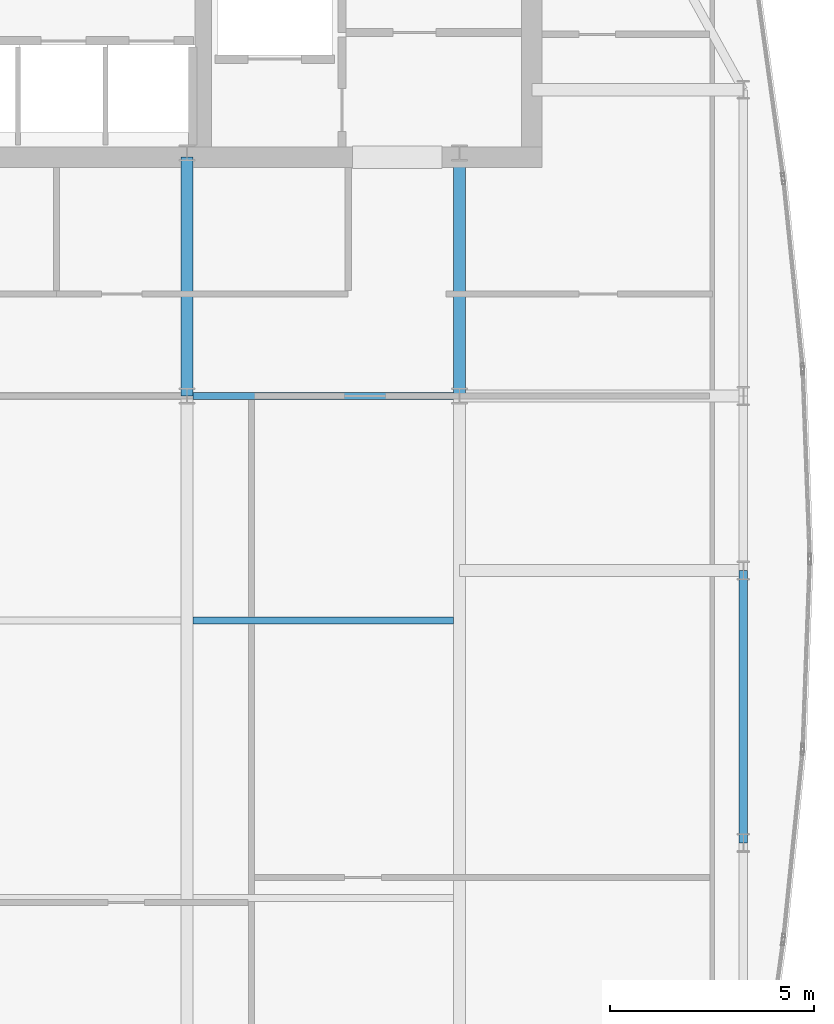
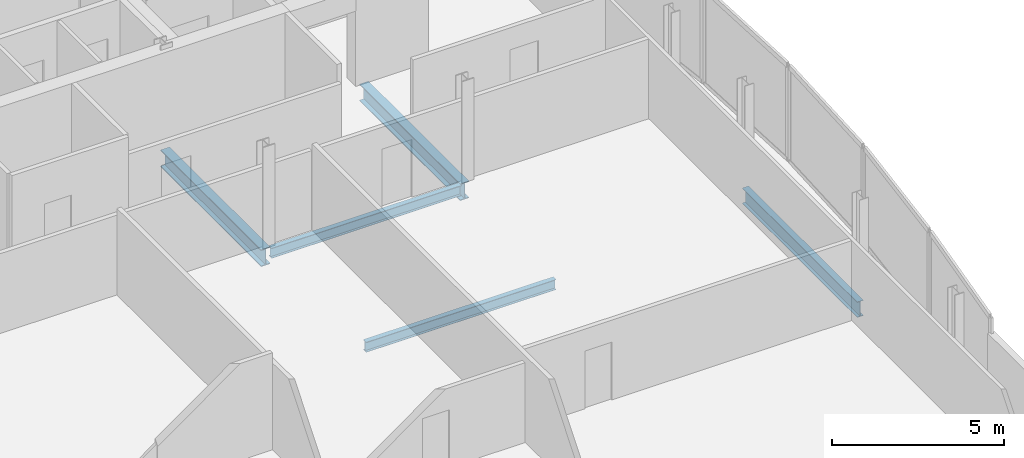
# One storey, part 15 of 26: 5 beams.
"""IFC4 building model written with IfcOpenShell, lengths in metres."""

from ifc_helpers import new_model, si_unit, direction, frame, origin, origin_2d, place, context, subcontext, project, spatial, i_section, extrude, material, material_profile, profile_set, type_object, element, save


model = new_model("IFC4")

# Units and contexts
model_context = context("Model", 3, precision=1e-05, world=origin(), true_north=direction((0.0, 1.0)))
body_context = subcontext(model_context, "Body", "Model", "MODEL_VIEW")
ifc_project = project(units=[si_unit("LENGTHUNIT", "METRE"), si_unit("AREAUNIT", "SQUARE_METRE"), si_unit("VOLUMEUNIT", "CUBIC_METRE"), si_unit("PLANEANGLEUNIT", "RADIAN"), si_unit("MASSUNIT", "GRAM", prefix="KILO")], contexts=[model_context])

# Site, building, storey
site_placement = place(None, origin())
site = spatial("IfcSite", under=ifc_project, at=site_placement, CompositionType="ELEMENT")
building_placement = place(site_placement, origin())
building = spatial("IfcBuilding", under=site, at=building_placement, Name="Khoronbel Lancet Exchange", CompositionType="ELEMENT")
storey_placement = place(building_placement, frame((0.0, 0.0, 339.800048828125)))
storey = spatial("IfcBuildingStorey", under=building, at=storey_placement, Name="L88", CompositionType="ELEMENT", Elevation=339.800048828125)

# Beams
ifc_material = material(Name="Steel S355", Category="steel")
ifc_material_profile_1 = material_profile(ifc_material, i_section(OverallWidth=0.300048828125, OverallDepth=0.60009765625, WebThickness=0.015380859375, FlangeThickness=0.030029296875, at=origin_2d()), Name="HEB 600")
ifc_profile_set_1 = profile_set([ifc_material_profile_1], Name="Steel S355")
beam_type_1 = type_object("IfcBeamType", Name="BM-BG5", PredefinedType="BEAM", material=ifc_profile_set_1)
for number, where, z_axis, x_axis, name in (
    (1, (48.0, 35.699951171875, -0.4599609375), (0.0, 1.0, 0.0), (-1.0, 0.0, 0.0), "Level L88 spine tie girder GN5"),
    (2, (54.675048828125, 35.699951171875, -0.4599609375), (0.0, 1.0, 0.0), (-1.0, 0.0, 0.0), "Level L88 spine tie girder GN6"),
):
    element("IfcBeam", number, at=place(storey_placement, frame(where, z_axis=z_axis, x_axis=x_axis)), inside=storey, type_object=beam_type_1, Name=name, PredefinedType="BEAM", context=body_context, shape_type="SweptSolid", body=[
        extrude(i_section(OverallWidth=0.300048828125, OverallDepth=0.60009765625, WebThickness=0.015380859375, FlangeThickness=0.030029296875, at=origin_2d()), origin(), (0.0, 0.0, 1.0), 5.85009765625),
    ])
ifc_material_profile_2 = material_profile(ifc_material, i_section(OverallWidth=0.169921875, OverallDepth=0.360107421875, WebThickness=0.008056640625, FlangeThickness=0.0126953125, at=origin_2d()), Name="IPE 360")
ifc_profile_set_2 = profile_set([ifc_material_profile_2], Name="Steel S355")
beam_type_2 = type_object("IfcBeamType", Name="BM-BJ6", PredefinedType="JOIST", material=ifc_profile_set_2)
for number, where, z_axis, x_axis, name in (
    (3, (48.14990234375, 30.199951171875, -0.340087890625), (1.0, 0.0, 0.0), (0.0, 1.0, 0.0), "Level L88 secondary composite joist J09"),
    (4, (48.14990234375, 35.699951171875, -0.340087890625), (1.0, 0.0, 0.0), (0.0, 1.0, 0.0), "Level L88 secondary composite joist J12"),
):
    element("IfcBeam", number, at=place(storey_placement, frame(where, z_axis=z_axis, x_axis=x_axis)), inside=storey, type_object=beam_type_2, Name=name, PredefinedType="JOIST", context=body_context, shape_type="SweptSolid", body=[
        extrude(i_section(OverallWidth=0.169921875, OverallDepth=0.360107421875, WebThickness=0.008056640625, FlangeThickness=0.0126953125, at=origin_2d()), origin(), (0.0, 0.0, 1.0), 6.375),
    ])
ifc_material_profile_3 = material_profile(ifc_material, i_section(OverallWidth=0.2099609375, OverallDepth=0.550048828125, WebThickness=0.010986328125, FlangeThickness=0.01708984375, at=origin_2d()), Name="IPE 550")
ifc_profile_set_3 = profile_set([ifc_material_profile_3], Name="Steel S355")
beam_type_3 = type_object("IfcBeamType", Name="BM-BSP3", PredefinedType="SPANDREL", material=ifc_profile_set_3)
beam_placement = place(storey_placement, frame((61.6298828125, 24.75, -0.43505859375), z_axis=(0.0, 1.0, 0.0), x_axis=(-1.0, 0.0, 0.0)))
element("IfcBeam", 5, at=beam_placement, inside=storey, type_object=beam_type_3, Name="Level L88 perimeter spandrel beam SP10", PredefinedType="SPANDREL", context=body_context, shape_type="SweptSolid", body=[
    extrude(i_section(OverallWidth=0.2099609375, OverallDepth=0.550048828125, WebThickness=0.010986328125, FlangeThickness=0.01708984375, at=origin_2d()), origin(), (0.0, 0.0, 1.0), 6.675048828125),
])

save(model, "model.ifc")
